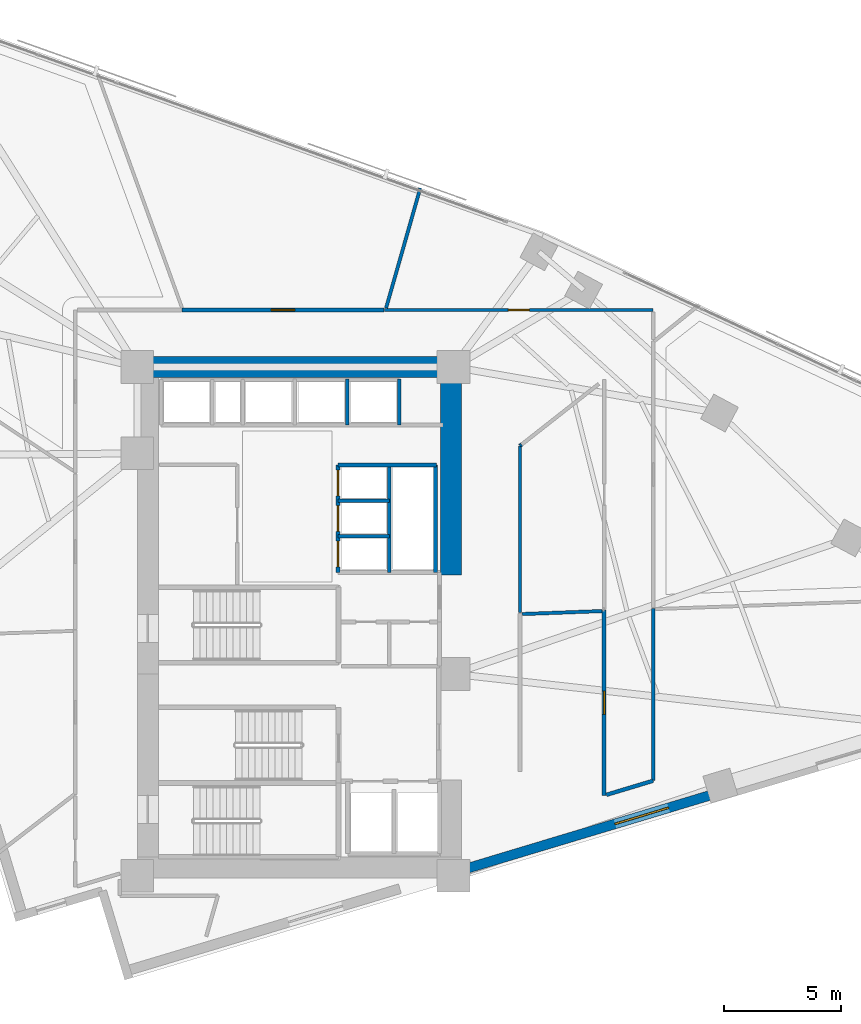
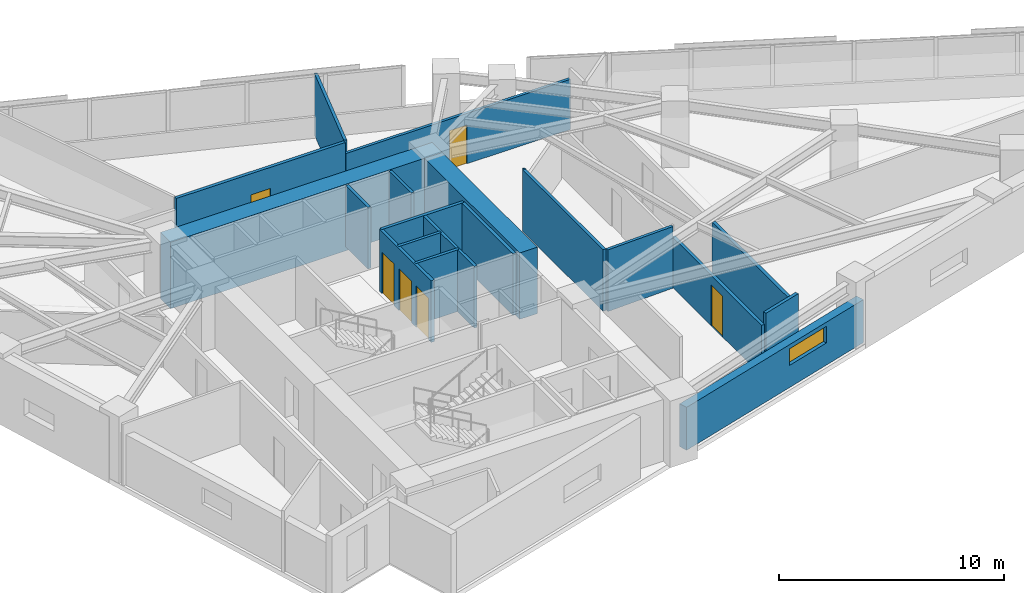
# One storey, part 11 of 15: 20 walls, 6 doors, 1 window, 7 openings.
"""IFC4 building model written with IfcOpenShell, lengths in metres."""

from ifc_helpers import new_model, si_unit, direction, frame, frame_2d, origin, place, context, subcontext, project, spatial, rectangle, extrude, material, layer, layer_set, type_object, element, fill, save


model = new_model("IFC4")

# Units and contexts
model_context = context("Model", 3, precision=1e-05, world=origin(), true_north=direction((0.0, 1.0)))
body_context = subcontext(model_context, "Body", "Model", "MODEL_VIEW")
ifc_project = project(units=[si_unit("LENGTHUNIT", "METRE"), si_unit("AREAUNIT", "SQUARE_METRE"), si_unit("VOLUMEUNIT", "CUBIC_METRE"), si_unit("PLANEANGLEUNIT", "RADIAN"), si_unit("MASSUNIT", "GRAM", prefix="KILO")], contexts=[model_context])

# Site, building, storey
site_placement = place(None, origin())
site = spatial("IfcSite", under=ifc_project, at=site_placement, CompositionType="ELEMENT")
building_placement = place(site_placement, origin())
building = spatial("IfcBuilding", under=site, at=building_placement, Name="Narakoshi Arena Tower", CompositionType="ELEMENT")
storey_placement = place(building_placement, frame((0.0, 0.0, 143.10009765625)))
storey = spatial("IfcBuildingStorey", under=building, at=storey_placement, Name="L38", CompositionType="ELEMENT", Elevation=143.10009765625)

# Walls
ifc_material_1 = material(Name="Concrete C60/75", Category="concrete")
ifc_layer_1 = layer(ifc_material_1, 0.89990234375)
ifc_layer_set_1 = layer_set([ifc_layer_1], Name="Concrete C60/75")
wall_type_1 = type_object("IfcWallType", Name="WL-CORE-900", PredefinedType="SHEAR", material=ifc_layer_set_1)
wall_1_placement = place(storey_placement, frame((72.0, 56.5, -0.260009765625), z_axis=(0.0, 0.0, 1.0), x_axis=(1.0, 0.0, 0.0)))
element("IfcWall", 1, at=wall_1_placement, inside=storey, type_object=wall_type_1, Name="L38 Main Core Shear Wall CW-MN-N", PredefinedType="SHEAR", context=body_context, shape_type="SweptSolid", body=[
    extrude(rectangle(XDim=13.89990234375, YDim=0.89990234375, at=frame_2d((6.949951171875, 0.0))), origin(), (0.0, 0.0, 1.0), 3.599853515625),
])
wall_2_placement = place(storey_placement, frame((85.449951171875, 47.60009765625, -0.260009765625), z_axis=(0.0, 0.0, 1.0), x_axis=(0.0, 1.0, 0.0)))
element("IfcWall", 2, at=wall_2_placement, inside=storey, type_object=wall_type_1, Name="L38 Main Core Shear Wall CW-MN-E", PredefinedType="SHEAR", context=body_context, shape_type="SweptSolid", body=[
    extrude(rectangle(XDim=8.449951171875, YDim=0.89990234375, at=frame_2d((4.22509765625, 0.0))), origin(), (0.0, 0.0, 1.0), 3.599853515625),
])

# Wall, opening, door
ifc_material_2 = material(Name="Gypsum plasterboard fire-rated partition")
ifc_layer_2 = layer(ifc_material_2, 0.1650390625)
ifc_layer_set_2 = layer_set([ifc_layer_2], Name="Gypsum plasterboard fire-rated partition")
wall_type_2 = type_object("IfcWallType", Name="WL-CORR-165", PredefinedType="PARTITIONING", material=ifc_layer_set_2)
wall_3_placement = place(storey_placement, frame((92.0048828125, 46.083740234375, 0.0), z_axis=(0.0, 0.0, 1.0), x_axis=(0.0, -1.0, 0.0)))
wall_3 = element("IfcWall", 3, at=wall_3_placement, inside=storey, type_object=wall_type_2, Name="L38 Corridor Partition 03-1", PredefinedType="PARTITIONING", context=body_context, shape_type="SweptSolid", body=[
    extrude(rectangle(XDim=7.941650390625, YDim=0.1650390625, at=frame_2d((3.970703125, 0.0))), origin(), (0.0, 0.0, 1.0), 2.724853515625),
])
opening_1_placement = place(wall_3_placement, frame((3.470703125, 0.0, 0.0)))
opening_1 = element("IfcOpeningElement", 4, at=opening_1_placement, cuts=wall_3, Name="Opening D-06", PredefinedType="OPENING", context=body_context, shape_type="SweptSolid", body=[
    extrude(rectangle(XDim=1.0, YDim=2.199951171875, at=frame_2d((0.5, 1.10009765625))), frame((0.0, 0.092529296875, 0.0), z_axis=(0.0, -1.0, 0.0), x_axis=(1.0, 0.0, 0.0)), (0.0, 0.0, 1.0), 0.18505859375),
])
ifc_material_3 = material(Name="Stained oak solid-core timber", Category="wood")
door_type_1 = type_object("IfcDoorType", Name="DR-OFF-1000", OperationType="NOTDEFINED", PredefinedType="DOOR", material=ifc_material_3)
door_1_placement = place(opening_1_placement, frame((1.0, 0.0, 0.0), z_axis=(0.0, 0.0, 1.0), x_axis=(-1.0, 0.0, 0.0)))
door_1 = element("IfcDoor", 5, at=door_1_placement, inside=storey, type_object=door_type_1, Name="DR-L38-016", OperationType="SINGLE_SWING_RIGHT", OverallHeight=2.199951171875, OverallWidth=1.0, PredefinedType="DOOR", context=body_context, shape_type="SweptSolid", body=[
    extrude(rectangle(XDim=1.0, YDim=2.199951171875, at=frame_2d((0.5, 1.10009765625))), frame((0.0, 0.02490234375, 0.0), z_axis=(0.0, -1.0, 0.0), x_axis=(1.0, 0.0, 0.0)), (0.0, 0.0, 1.0), 0.050048828125),
])
fill(opening_1, door_1)

# Walls
wall_4_placement = place(storey_placement, frame((94.10498046875, 38.774169921875, 0.0), z_axis=(0.0, 0.0, 1.0), x_axis=(0.0, 1.0, 0.0)))
element("IfcWall", 6, at=wall_4_placement, inside=storey, type_object=wall_type_2, Name="L38 Corridor Partition 03-2", PredefinedType="PARTITIONING", context=body_context, shape_type="SweptSolid", body=[
    extrude(rectangle(XDim=7.388427734375, YDim=0.1650390625, at=frame_2d((3.6943359375, 0.0))), origin(), (0.0, 0.0, 1.0), 2.724853515625),
])
wall_5_placement = place(storey_placement, frame((92.099609375, 38.17041015625, 0.0), z_axis=(0.0, 0.0, 1.0), x_axis=(0.957543477101, 0.288288899303, 0.0)))
element("IfcWall", 7, at=wall_5_placement, inside=storey, type_object=wall_type_2, Name="L38 Corridor Partition 03-4", PredefinedType="PARTITIONING", context=body_context, shape_type="SweptSolid", body=[
    extrude(rectangle(XDim=2.09423828125, YDim=0.1650390625, at=frame_2d((1.047119140625, 0.0))), origin(), (0.0, 0.0, 1.0), 3.33984375),
])

# Wall, opening, door
wall_6_placement = place(storey_placement, frame((82.576171875, 58.944091796875, 0.0), z_axis=(0.0, 0.0, 1.0), x_axis=(-1.0, 0.0, 0.0)))
wall_6 = element("IfcWall", 8, at=wall_6_placement, inside=storey, type_object=wall_type_2, Name="L38 Corridor Partition 07-1", PredefinedType="PARTITIONING", context=body_context, shape_type="SweptSolid", body=[
    extrude(rectangle(XDim=8.65966796875, YDim=0.1650390625, at=frame_2d((4.329833984375, 0.0))), origin(), (0.0, 0.0, 1.0), 3.33984375),
])
opening_2_placement = place(wall_6_placement, frame((3.829833984375, 0.0, 0.0)))
opening_2 = element("IfcOpeningElement", 9, at=opening_2_placement, cuts=wall_6, Name="Opening D-06", PredefinedType="OPENING", context=body_context, shape_type="SweptSolid", body=[
    extrude(rectangle(XDim=1.0, YDim=2.199951171875, at=frame_2d((0.5, 1.10009765625))), frame((0.0, 0.092529296875, 0.0), z_axis=(0.0, -1.0, 0.0), x_axis=(1.0, 0.0, 0.0)), (0.0, 0.0, 1.0), 0.18505859375),
])
door_2_placement = place(opening_2_placement, frame((1.0, 0.0, 0.0), z_axis=(0.0, 0.0, 1.0), x_axis=(-1.0, 0.0, 0.0)))
door_2 = element("IfcDoor", 10, at=door_2_placement, inside=storey, type_object=door_type_1, Name="DR-L38-020", OperationType="SINGLE_SWING_RIGHT", OverallHeight=2.199951171875, OverallWidth=1.0, PredefinedType="DOOR", context=body_context, shape_type="SweptSolid", body=[
    extrude(rectangle(XDim=1.0, YDim=2.199951171875, at=frame_2d((0.5, 1.10009765625))), frame((0.0, 0.02490234375, 0.0), z_axis=(0.0, -1.0, 0.0), x_axis=(1.0, 0.0, 0.0)), (0.0, 0.0, 1.0), 0.050048828125),
])
fill(opening_2, door_2)

# Wall, opening, window
ifc_material_4 = material(Name="Precast concrete C45/55", Category="concrete")
ifc_layer_3 = layer(ifc_material_4, 0.419921875)
ifc_layer_set_3 = layer_set([ifc_layer_3], Name="Precast concrete C45/55")
wall_type_3 = type_object("IfcWallType", Name="WL-POD-420", PredefinedType="SOLIDWALL", material=ifc_layer_set_3)
wall_7_placement = place(storey_placement, frame((86.10009765625, 35.00732421875, 0.0), z_axis=(0.0, 0.0, 1.0), x_axis=(0.957569401796, 0.288202777129, 0.0)))
wall_7 = element("IfcWall", 11, at=wall_7_placement, inside=storey, type_object=wall_type_3, Name="L38 Architectural Concrete Facade Wall LEGA-2", PredefinedType="SOLIDWALL", context=body_context, shape_type="SweptSolid", body=[
    extrude(rectangle(XDim=11.447998046875, YDim=0.419921875, at=frame_2d((5.72412109375, 0.0))), origin(), (0.0, 0.0, 1.0), 2.324951171875),
])
opening_3_placement = place(wall_7_placement, frame((6.652099609375, 0.0, 1.199951171875)))
opening_3 = element("IfcOpeningElement", 12, at=opening_3_placement, cuts=wall_7, Name="Opening WN-01", PredefinedType="OPENING", context=body_context, shape_type="SweptSolid", body=[
    extrude(rectangle(XDim=2.39990234375, YDim=0.89990234375, at=frame_2d((1.199951171875, 0.449951171875))), frame((0.0, 0.219970703125, 0.0), z_axis=(0.0, -1.0, 0.0), x_axis=(1.0, 0.0, 0.0)), (0.0, 0.0, 1.0), 0.43994140625),
])
ifc_material_5 = material(Name="Bronze-tinted low-E laminated glass", Category="glass")
window_type = type_object("IfcWindowType", Name="WIN-SLT-24x09", PartitioningType="SINGLE_PANEL", PredefinedType="WINDOW", material=ifc_material_5)
window_placement = place(opening_3_placement, origin())
window = element("IfcWindow", 13, at=window_placement, inside=storey, type_object=window_type, Name="L38 LEGA2 Horizontal Slot Window 1", OverallHeight=0.89990234375, OverallWidth=2.39990234375, PartitioningType="SINGLE_PANEL", PredefinedType="WINDOW", context=body_context, shape_type="SweptSolid", body=[
    extrude(rectangle(XDim=2.39990234375, YDim=0.89990234375, at=frame_2d((1.199951171875, 0.449951171875))), frame((0.0, 0.030029296875, 0.0), z_axis=(0.0, -1.0, 0.0), x_axis=(1.0, 0.0, 0.0)), (0.0, 0.0, 1.0), 0.06005859375),
])
fill(opening_3, window)

# Walls
ifc_material_6 = material(Name="Concrete C40/50", Category="concrete")
ifc_layer_4 = layer(ifc_material_6, 0.280029296875)
ifc_layer_set_4 = layer_set([ifc_layer_4], Name="Concrete C40/50")
wall_type_4 = type_object("IfcWallType", Name="WL-RISER-280", PredefinedType="PLUMBINGWALL", material=ifc_layer_set_4)
for number, where, z_axis, x_axis, name in (
    (14, (80.60009765625, 49.260009765625, 0.0), (0.0, 0.0, 1.0), (1.0, 0.0, 0.0), "L38 Core Wall MR-D1"),
    (15, (80.60009765625, 50.780029296875, 0.0), (0.0, 0.0, 1.0), (1.0, 0.0, 0.0), "L38 Core Wall MR-D2"),
):
    element("IfcWall", number, at=place(storey_placement, frame(where, z_axis=z_axis, x_axis=x_axis)), inside=storey, type_object=wall_type_4, Name=name, PredefinedType="PLUMBINGWALL", context=body_context, shape_type="SweptSolid", body=[
        extrude(rectangle(XDim=2.199951171875, YDim=0.14990234375, at=frame_2d((1.10009765625, 0.0))), origin(), (0.0, 0.0, 1.0), 3.33984375),
    ])
wall_8_placement = place(storey_placement, frame((82.800048828125, 47.699951171875, 0.0), z_axis=(0.0, 0.0, 1.0), x_axis=(0.0, 1.0, 0.0)))
element("IfcWall", 16, at=wall_8_placement, inside=storey, type_object=wall_type_4, Name="L38 Core Wall MR-E", PredefinedType="PLUMBINGWALL", context=body_context, shape_type="SweptSolid", body=[
    extrude(rectangle(XDim=4.60009765625, YDim=0.14990234375, at=frame_2d((2.300048828125, 0.0))), origin(), (0.0, 0.0, 1.0), 3.33984375),
])
wall_9_placement = place(storey_placement, frame((81.0, 54.02001953125, 0.0), z_axis=(0.0, 0.0, 1.0), x_axis=(0.0, 1.0, 0.0)))
element("IfcWall", 17, at=wall_9_placement, inside=storey, type_object=wall_type_4, Name="L38 Core Wall HR-D2", PredefinedType="PLUMBINGWALL", context=body_context, shape_type="SweptSolid", body=[
    extrude(rectangle(XDim=1.9599609375, YDim=0.14990234375, at=frame_2d((0.97998046875, 0.0))), origin(), (0.0, 0.0, 1.0), 3.33984375),
])

# Wall, openings, doors
ifc_material_7 = material(Name="Concrete C50/60", Category="concrete")
ifc_layer_5 = layer(ifc_material_7, 0.35009765625)
ifc_layer_set_5 = layer_set([ifc_layer_5], Name="Concrete C50/60")
wall_type_5 = type_object("IfcWallType", Name="WL-SHAFT-350", PredefinedType="SOLIDWALL", material=ifc_layer_set_5)
wall_10_placement = place(storey_placement, frame((80.60009765625, 47.699951171875, 0.0), z_axis=(0.0, 0.0, 1.0), x_axis=(0.0, 1.0, 0.0)))
wall_10 = element("IfcWall", 18, at=wall_10_placement, inside=storey, type_object=wall_type_5, Name="L38 Core Wall MR-W", PredefinedType="SOLIDWALL", context=body_context, shape_type="SweptSolid", body=[
    extrude(rectangle(XDim=4.60009765625, YDim=0.159912109375, at=frame_2d((2.300048828125, 0.0))), origin(), (0.0, 0.0, 1.0), 3.33984375),
])
opening_4_placement = place(wall_10_placement, frame((0.239990234375, 0.0, 0.0)))
opening_4 = element("IfcOpeningElement", 19, at=opening_4_placement, cuts=wall_10, Name="Opening LD-01", PredefinedType="OPENING", context=body_context, shape_type="SweptSolid", body=[
    extrude(rectangle(XDim=1.10009765625, YDim=2.25, at=frame_2d((0.550048828125, 1.125))), frame((0.0, 0.08984375, 0.0), z_axis=(0.0, -1.0, 0.0), x_axis=(1.0, 0.0, 0.0)), (0.0, 0.0, 1.0), 0.179931640625),
])
opening_5_placement = place(wall_10_placement, frame((1.760009765625, 0.0, 0.0)))
opening_5 = element("IfcOpeningElement", 20, at=opening_5_placement, cuts=wall_10, Name="Opening LD-01", PredefinedType="OPENING", context=body_context, shape_type="SweptSolid", body=[
    extrude(rectangle(XDim=1.10009765625, YDim=2.25, at=frame_2d((0.550048828125, 1.125))), frame((0.0, 0.08984375, 0.0), z_axis=(0.0, -1.0, 0.0), x_axis=(1.0, 0.0, 0.0)), (0.0, 0.0, 1.0), 0.179931640625),
])
opening_6_placement = place(wall_10_placement, frame((3.280029296875, 0.0, 0.0)))
opening_6 = element("IfcOpeningElement", 21, at=opening_6_placement, cuts=wall_10, Name="Opening LD-01", PredefinedType="OPENING", context=body_context, shape_type="SweptSolid", body=[
    extrude(rectangle(XDim=1.10009765625, YDim=2.25, at=frame_2d((0.550048828125, 1.125))), frame((0.0, 0.08984375, 0.0), z_axis=(0.0, -1.0, 0.0), x_axis=(1.0, 0.0, 0.0)), (0.0, 0.0, 1.0), 0.179931640625),
])
ifc_material_8 = material(Name="Brushed bronze stainless steel", Category="steel")
door_type_2 = type_object("IfcDoorType", Name="DR-LFT-1100", OperationType="DOUBLE_DOOR_SLIDING", PredefinedType="DOOR", material=ifc_material_8)
door_3_placement = place(opening_4_placement, frame((1.10009765625, 0.0, 0.0), z_axis=(0.0, 0.0, 1.0), x_axis=(-1.0, 0.0, 0.0)))
door_3 = element("IfcDoor", 22, at=door_3_placement, inside=storey, type_object=door_type_2, Name="DR-L38-011", OperationType="DOUBLE_DOOR_SLIDING", OverallHeight=2.25, OverallWidth=1.10009765625, PredefinedType="DOOR", context=body_context, shape_type="SweptSolid", body=[
    extrude(rectangle(XDim=1.10009765625, YDim=2.25, at=frame_2d((0.550048828125, 1.125))), frame((0.0, 0.02490234375, 0.0), z_axis=(0.0, -1.0, 0.0), x_axis=(1.0, 0.0, 0.0)), (0.0, 0.0, 1.0), 0.050048828125),
])
fill(opening_4, door_3)
door_4_placement = place(opening_5_placement, frame((1.10009765625, 0.0, 0.0), z_axis=(0.0, 0.0, 1.0), x_axis=(-1.0, 0.0, 0.0)))
door_4 = element("IfcDoor", 23, at=door_4_placement, inside=storey, type_object=door_type_2, Name="DR-L38-012", OperationType="DOUBLE_DOOR_SLIDING", OverallHeight=2.25, OverallWidth=1.10009765625, PredefinedType="DOOR", context=body_context, shape_type="SweptSolid", body=[
    extrude(rectangle(XDim=1.10009765625, YDim=2.25, at=frame_2d((0.550048828125, 1.125))), frame((0.0, 0.02490234375, 0.0), z_axis=(0.0, -1.0, 0.0), x_axis=(1.0, 0.0, 0.0)), (0.0, 0.0, 1.0), 0.050048828125),
])
fill(opening_5, door_4)
door_5_placement = place(opening_6_placement, frame((1.10009765625, 0.0, 0.0), z_axis=(0.0, 0.0, 1.0), x_axis=(-1.0, 0.0, 0.0)))
door_5 = element("IfcDoor", 24, at=door_5_placement, inside=storey, type_object=door_type_2, Name="DR-L38-013", OperationType="DOUBLE_DOOR_SLIDING", OverallHeight=2.25, OverallWidth=1.10009765625, PredefinedType="DOOR", context=body_context, shape_type="SweptSolid", body=[
    extrude(rectangle(XDim=1.10009765625, YDim=2.25, at=frame_2d((0.550048828125, 1.125))), frame((0.0, 0.02490234375, 0.0), z_axis=(0.0, -1.0, 0.0), x_axis=(1.0, 0.0, 0.0)), (0.0, 0.0, 1.0), 0.050048828125),
])
fill(opening_6, door_5)

# Walls
wall_11_placement = place(storey_placement, frame((80.60009765625, 52.300048828125, 0.0), z_axis=(0.0, 0.0, 1.0), x_axis=(1.0, 0.0, 0.0)))
element("IfcWall", 25, at=wall_11_placement, inside=storey, type_object=wall_type_5, Name="L38 Core Wall MR-N", PredefinedType="SOLIDWALL", context=body_context, shape_type="SweptSolid", body=[
    extrude(rectangle(XDim=4.219970703125, YDim=0.159912109375, at=frame_2d((2.10986328125, 0.0))), origin(), (0.0, 0.0, 1.0), 3.33984375),
])
wall_12_placement = place(storey_placement, frame((84.780029296875, 47.699951171875, 0.0), z_axis=(0.0, 0.0, 1.0), x_axis=(0.0, 1.0, 0.0)))
element("IfcWall", 26, at=wall_12_placement, inside=storey, type_object=wall_type_5, Name="L38 Core Wall MR-E2", PredefinedType="SOLIDWALL", context=body_context, shape_type="SweptSolid", body=[
    extrude(rectangle(XDim=4.60009765625, YDim=0.159912109375, at=frame_2d((2.300048828125, 0.0))), origin(), (0.0, 0.0, 1.0), 3.33984375),
])
wall_13_placement = place(storey_placement, frame((83.219970703125, 54.02001953125, 0.0), z_axis=(0.0, 0.0, 1.0), x_axis=(0.0, 1.0, 0.0)))
element("IfcWall", 27, at=wall_13_placement, inside=storey, type_object=wall_type_5, Name="L38 Core Wall HR-E", PredefinedType="SOLIDWALL", context=body_context, shape_type="SweptSolid", body=[
    extrude(rectangle(XDim=1.9599609375, YDim=0.14990234375, at=frame_2d((0.97998046875, 0.0))), origin(), (0.0, 0.0, 1.0), 3.33984375),
])
ifc_material_9 = material(Name="Moisture-resistant cement-board partition")
ifc_layer_6 = layer(ifc_material_9, 0.14501953125)
ifc_layer_set_6 = layer_set([ifc_layer_6], Name="Moisture-resistant cement-board partition")
wall_type_6 = type_object("IfcWallType", Name="WL-WET-145", PredefinedType="PARTITIONING", material=ifc_layer_set_6)
wall_14_placement = place(storey_placement, frame((88.494384765625, 45.916015625, 0.0), z_axis=(0.0, 0.0, 1.0), x_axis=(0.999296813143, 0.037495056239, 0.0)))
element("IfcWall", 28, at=wall_14_placement, inside=storey, type_object=wall_type_6, Name="L38 Inter-Room Partition 03-05", PredefinedType="PARTITIONING", context=body_context, shape_type="SweptSolid", body=[
    extrude(rectangle(XDim=3.41845703125, YDim=0.14501953125, at=frame_2d((1.709228515625, 0.0))), origin(), (0.0, 0.0, 1.0), 3.33984375),
])
wall_15_placement = place(storey_placement, frame((88.39990234375, 45.972412109375, 0.0), z_axis=(0.0, 0.0, 1.0), x_axis=(0.0, 1.0, 0.0)))
element("IfcWall", 29, at=wall_15_placement, inside=storey, type_object=wall_type_6, Name="L38 Corridor Partition 05-2", PredefinedType="PARTITIONING", context=body_context, shape_type="SweptSolid", body=[
    extrude(rectangle(XDim=7.153076171875, YDim=0.14501953125, at=frame_2d((3.57666015625, 0.0))), origin(), (0.0, 0.0, 1.0), 3.33984375),
])
wall_16_placement = place(storey_placement, frame((88.39990234375, 53.12548828125, 0.0), z_axis=(0.0, 0.0, 1.0), x_axis=(0.785209472927, 0.619230234747, 0.0)))
element("IfcWall", 30, at=wall_16_placement, inside=storey, type_object=wall_type_6, Name="L38 Corridor Partition 05-3", PredefinedType="PARTITIONING", context=body_context, shape_type="SweptSolid", body=[
    extrude(rectangle(XDim=0.076416015625, YDim=0.14501953125, at=frame_2d((0.0380859375, 0.0))), origin(), (0.0, 0.0, 1.0), 3.33984375),
])

# Wall, opening, door
wall_17_placement = place(storey_placement, frame((94.10498046875, 58.944091796875, 0.0), z_axis=(0.0, 0.0, 1.0), x_axis=(-1.0, 0.0, 0.0)))
wall_17 = element("IfcWall", 31, at=wall_17_placement, inside=storey, type_object=wall_type_6, Name="L38 Corridor Partition 06-1", PredefinedType="PARTITIONING", context=body_context, shape_type="SweptSolid", body=[
    extrude(rectangle(XDim=11.50390625, YDim=0.14501953125, at=frame_2d((5.751953125, 0.0))), origin(), (0.0, 0.0, 1.0), 2.724853515625),
])
opening_7_placement = place(wall_17_placement, frame((5.302001953125, 0.0, 0.0)))
opening_7 = element("IfcOpeningElement", 32, at=opening_7_placement, cuts=wall_17, Name="Opening D-08", PredefinedType="OPENING", context=body_context, shape_type="SweptSolid", body=[
    extrude(rectangle(XDim=0.89990234375, YDim=2.10009765625, at=frame_2d((0.449951171875, 1.050048828125))), frame((0.0, 0.08251953125, 0.0), z_axis=(0.0, -1.0, 0.0), x_axis=(1.0, 0.0, 0.0)), (0.0, 0.0, 1.0), 0.1650390625),
])
ifc_material_10 = material(Name="Moisture-resistant laminate timber", Category="wood")
door_type_3 = type_object("IfcDoorType", Name="DR-WC-900", OperationType="NOTDEFINED", PredefinedType="DOOR", material=ifc_material_10)
door_6_placement = place(opening_7_placement, frame((0.89990234375, 0.0, 0.0), z_axis=(0.0, 0.0, 1.0), x_axis=(-1.0, 0.0, 0.0)))
door_6 = element("IfcDoor", 33, at=door_6_placement, inside=storey, type_object=door_type_3, Name="DR-L38-019", OperationType="SINGLE_SWING_LEFT", OverallHeight=2.10009765625, OverallWidth=0.89990234375, PredefinedType="DOOR", context=body_context, shape_type="SweptSolid", body=[
    extrude(rectangle(XDim=0.89990234375, YDim=2.10009765625, at=frame_2d((0.449951171875, 1.050048828125))), frame((0.0, 0.02490234375, 0.0), z_axis=(0.0, -1.0, 0.0), x_axis=(1.0, 0.0, 0.0)), (0.0, 0.0, 1.0), 0.050048828125),
])
fill(opening_7, door_6)

# Wall
wall_18_placement = place(storey_placement, frame((82.66259765625, 59.028564453125, 0.0), z_axis=(0.0, 0.0, 1.0), x_axis=(0.274027024553, 0.961721991957, 0.0)))
element("IfcWall", 34, at=wall_18_placement, inside=storey, type_object=wall_type_6, Name="L38 Inter-Room Partition 06-07", PredefinedType="PARTITIONING", context=body_context, shape_type="SweptSolid", body=[
    extrude(rectangle(XDim=5.343017578125, YDim=0.14501953125, at=frame_2d((2.67138671875, 0.0))), origin(), (0.0, 0.0, 1.0), 3.33984375),
])

save(model, "model.ifc")
